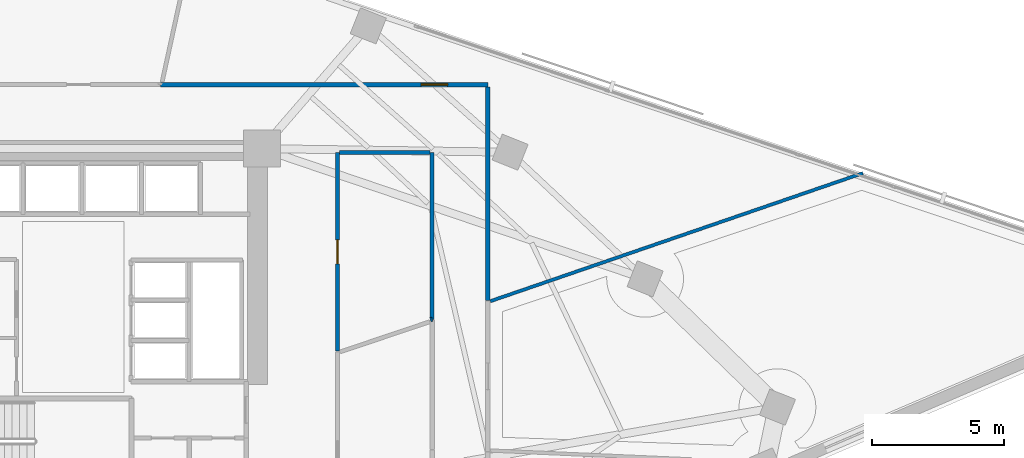
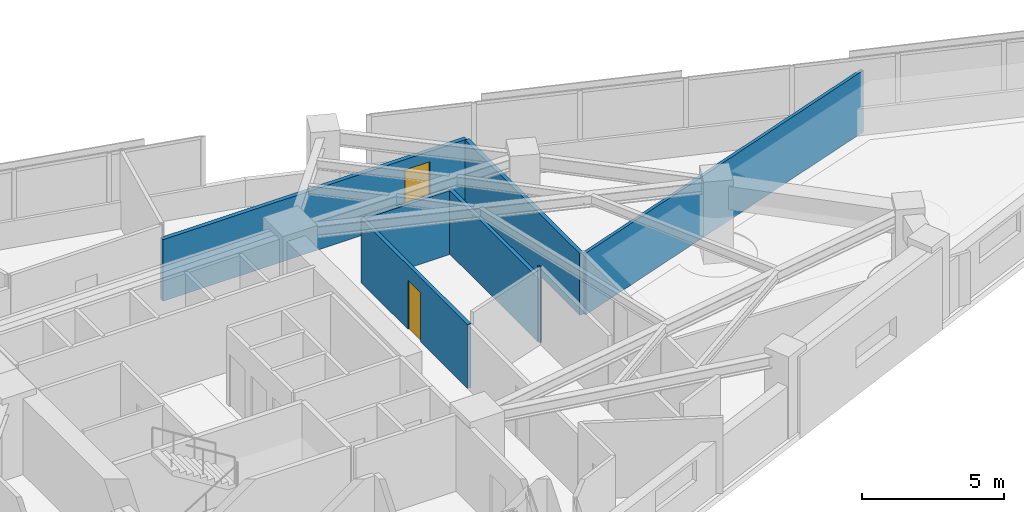
# One storey, part 12 of 15: 7 walls, 2 doors, 2 openings.
"""IFC4 building model written with IfcOpenShell, lengths in metres."""

from ifc_helpers import new_model, si_unit, direction, frame, frame_2d, origin, place, context, subcontext, project, spatial, rectangle, extrude, material, layer, layer_set, type_object, element, fill, save


model = new_model("IFC4")

# Units and contexts
model_context = context("Model", 3, precision=1e-05, world=origin(), true_north=direction((0.0, 1.0)))
body_context = subcontext(model_context, "Body", "Model", "MODEL_VIEW")
ifc_project = project(units=[si_unit("LENGTHUNIT", "METRE"), si_unit("AREAUNIT", "SQUARE_METRE"), si_unit("VOLUMEUNIT", "CUBIC_METRE"), si_unit("PLANEANGLEUNIT", "RADIAN"), si_unit("MASSUNIT", "GRAM", prefix="KILO")], contexts=[model_context])

# Site, building, storey
site_placement = place(None, origin())
site = spatial("IfcSite", under=ifc_project, at=site_placement, CompositionType="ELEMENT")
building_placement = place(site_placement, origin())
building = spatial("IfcBuilding", under=site, at=building_placement, Name="Narakoshi Arena Tower", CompositionType="ELEMENT")
storey_placement = place(building_placement, frame((0.0, 0.0, 186.139892578125)))
storey = spatial("IfcBuildingStorey", under=building, at=storey_placement, Name="L50", CompositionType="ELEMENT", Elevation=186.139892578125)

# Wall, opening, door
ifc_material_1 = material(Name="Gypsum plasterboard fire-rated partition")
ifc_layer_1 = layer(ifc_material_1, 0.1650390625)
ifc_layer_set_1 = layer_set([ifc_layer_1], Name="Gypsum plasterboard fire-rated partition")
wall_type_1 = type_object("IfcWallType", Name="WL-CORR-165", PredefinedType="PARTITIONING", material=ifc_layer_set_1)
wall_1_placement = place(storey_placement, frame((94.07373046875, 58.9189453125, 0.0), z_axis=(0.0, 0.0, 1.0), x_axis=(-1.0, 0.0, 0.0)))
wall_1 = element("IfcWall", 1, at=wall_1_placement, inside=storey, type_object=wall_type_1, Name="L50 Corridor Partition 06-1", PredefinedType="PARTITIONING", context=body_context, shape_type="SweptSolid", body=[
    extrude(rectangle(XDim=12.352294921875, YDim=0.1650390625, at=frame_2d((6.17626953125, 0.0))), origin(), (0.0, 0.0, 1.0), 2.64501953125),
])
opening_1_placement = place(wall_1_placement, frame((1.514404296875, 0.0, 0.0)))
opening_1 = element("IfcOpeningElement", 2, at=opening_1_placement, cuts=wall_1, Name="Opening D-06", PredefinedType="OPENING", context=body_context, shape_type="SweptSolid", body=[
    extrude(rectangle(XDim=1.0, YDim=2.199951171875, at=frame_2d((0.5, 1.10009765625))), frame((0.0, 0.092529296875, 0.0), z_axis=(0.0, -1.0, 0.0), x_axis=(1.0, 0.0, 0.0)), (0.0, 0.0, 1.0), 0.18505859375),
])
ifc_material_2 = material(Name="Stained oak solid-core timber", Category="wood")
door_type_1 = type_object("IfcDoorType", Name="DR-OFF-1000", OperationType="NOTDEFINED", PredefinedType="DOOR", material=ifc_material_2)
door_1_placement = place(opening_1_placement, frame((1.0, 0.0, 0.0), z_axis=(0.0, 0.0, 1.0), x_axis=(-1.0, 0.0, 0.0)))
door_1 = element("IfcDoor", 3, at=door_1_placement, inside=storey, type_object=door_type_1, Name="DR-L50-020", OperationType="SINGLE_SWING_LEFT", OverallHeight=2.199951171875, OverallWidth=1.0, PredefinedType="DOOR", context=body_context, shape_type="SweptSolid", body=[
    extrude(rectangle(XDim=1.0, YDim=2.199951171875, at=frame_2d((0.5, 1.10009765625))), frame((0.0, 0.02490234375, 0.0), z_axis=(0.0, -1.0, 0.0), x_axis=(1.0, 0.0, 0.0)), (0.0, 0.0, 1.0), 0.050048828125),
])
fill(opening_1, door_1)

# Walls
wall_2_placement = place(storey_placement, frame((94.07373046875, 50.767578125, 0.0), z_axis=(0.0, 0.0, 1.0), x_axis=(0.0, 1.0, 0.0)))
element("IfcWall", 4, at=wall_2_placement, inside=storey, type_object=wall_type_1, Name="L50 Corridor Partition 06-2", PredefinedType="PARTITIONING", context=body_context, shape_type="SweptSolid", body=[
    extrude(rectangle(XDim=8.056884765625, YDim=0.1650390625, at=frame_2d((4.0283203125, 0.0))), origin(), (0.0, 0.0, 1.0), 2.64501953125),
])
ifc_layer_2 = layer(ifc_material_1, 0.125)
ifc_layer_set_2 = layer_set([ifc_layer_2], Name="Gypsum plasterboard fire-rated partition")
wall_type_2 = type_object("IfcWallType", Name="WL-PART-125", PredefinedType="PARTITIONING", material=ifc_layer_set_2)
wall_3_placement = place(storey_placement, frame((94.168212890625, 50.740234375, 0.0), z_axis=(0.0, 0.0, 1.0), x_axis=(0.945674142281, 0.325116004867, 0.0)))
element("IfcWall", 5, at=wall_3_placement, inside=storey, type_object=wall_type_2, Name="L50 Inter-Room Partition 03-06", PredefinedType="PARTITIONING", context=body_context, shape_type="SweptSolid", body=[
    extrude(rectangle(XDim=14.875244140625, YDim=0.125, at=frame_2d((7.4375, 0.0))), origin(), (0.0, 0.0, 1.0), 2.64501953125),
])

# Wall, opening, door
ifc_material_3 = material(Name="Moisture-resistant cement-board partition")
ifc_layer_3 = layer(ifc_material_3, 0.14501953125)
ifc_layer_set_3 = layer_set([ifc_layer_3], Name="Moisture-resistant cement-board partition")
wall_type_3 = type_object("IfcWallType", Name="WL-WET-145", PredefinedType="PARTITIONING", material=ifc_layer_set_3)
wall_4_placement = place(storey_placement, frame((88.39990234375, 48.852783203125, 0.0), z_axis=(0.0, 0.0, 1.0), x_axis=(0.0, 1.0, 0.0)))
wall_4 = element("IfcWall", 6, at=wall_4_placement, inside=storey, type_object=wall_type_3, Name="L50 Corridor Partition 05-1", PredefinedType="PARTITIONING", context=body_context, shape_type="SweptSolid", body=[
    extrude(rectangle(XDim=7.497314453125, YDim=0.14501953125, at=frame_2d((3.74853515625, 0.0))), origin(), (0.0, 0.0, 1.0), 2.7451171875),
])
opening_2_placement = place(wall_4_placement, frame((3.298583984375, 0.0, 0.0)))
opening_2 = element("IfcOpeningElement", 7, at=opening_2_placement, cuts=wall_4, Name="Opening D-08", PredefinedType="OPENING", context=body_context, shape_type="SweptSolid", body=[
    extrude(rectangle(XDim=0.89990234375, YDim=2.10009765625, at=frame_2d((0.449951171875, 1.050048828125))), frame((0.0, 0.08251953125, 0.0), z_axis=(0.0, -1.0, 0.0), x_axis=(1.0, 0.0, 0.0)), (0.0, 0.0, 1.0), 0.1650390625),
])
ifc_material_4 = material(Name="Moisture-resistant laminate timber", Category="wood")
door_type_2 = type_object("IfcDoorType", Name="DR-WC-900", OperationType="NOTDEFINED", PredefinedType="DOOR", material=ifc_material_4)
door_2_placement = place(opening_2_placement, frame((0.89990234375, 0.0, 0.0), z_axis=(0.0, 0.0, 1.0), x_axis=(-1.0, 0.0, 0.0)))
door_2 = element("IfcDoor", 8, at=door_2_placement, inside=storey, type_object=door_type_2, Name="DR-L50-019", OperationType="SINGLE_SWING_RIGHT", OverallHeight=2.10009765625, OverallWidth=0.89990234375, PredefinedType="DOOR", context=body_context, shape_type="SweptSolid", body=[
    extrude(rectangle(XDim=0.89990234375, YDim=2.10009765625, at=frame_2d((0.449951171875, 1.050048828125))), frame((0.0, 0.02490234375, 0.0), z_axis=(0.0, -1.0, 0.0), x_axis=(1.0, 0.0, 0.0)), (0.0, 0.0, 1.0), 0.050048828125),
])
fill(opening_2, door_2)

# Walls
wall_5_placement = place(storey_placement, frame((91.9736328125, 56.35009765625, 0.0), z_axis=(0.0, 0.0, 1.0), x_axis=(0.0, -1.0, 0.0)))
element("IfcWall", 9, at=wall_5_placement, inside=storey, type_object=wall_type_3, Name="L50 Corridor Partition 05-2", PredefinedType="PARTITIONING", context=body_context, shape_type="SweptSolid", body=[
    extrude(rectangle(XDim=6.291259765625, YDim=0.14501953125, at=frame_2d((3.1455078125, 0.0))), origin(), (0.0, 0.0, 1.0), 2.7451171875),
])
wall_6_placement = place(storey_placement, frame((88.484619140625, 56.35009765625, 0.0), z_axis=(0.0, 0.0, 1.0), x_axis=(1.0, 0.0, 0.0)))
element("IfcWall", 10, at=wall_6_placement, inside=storey, type_object=wall_type_3, Name="L50 Corridor Partition 05-3", PredefinedType="PARTITIONING", context=body_context, shape_type="SweptSolid", body=[
    extrude(rectangle(XDim=3.404541015625, YDim=0.14501953125, at=frame_2d((1.7021484375, 0.0))), origin(), (0.0, 0.0, 1.0), 2.7451171875),
])
wall_7_placement = place(storey_placement, frame((91.9736328125, 50.058837890625, 0.0), z_axis=(0.0, 0.0, 1.0), x_axis=(-0.948295528016, -0.317388707336, 0.0)))
element("IfcWall", 11, at=wall_7_placement, inside=storey, type_object=wall_type_3, Name="L50 Corridor Partition 05-4", PredefinedType="PARTITIONING", context=body_context, shape_type="SweptSolid", body=[
    extrude(rectangle(XDim=0.06298828125, YDim=0.14501953125, at=frame_2d((0.031494140625, 0.0))), origin(), (0.0, 0.0, 1.0), 3.260009765625),
])

save(model, "model.ifc")
